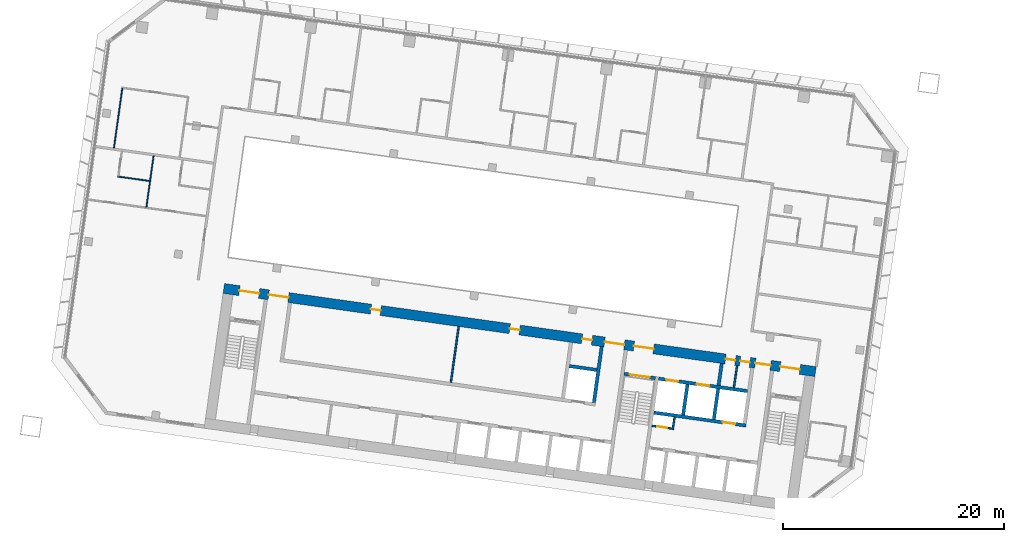
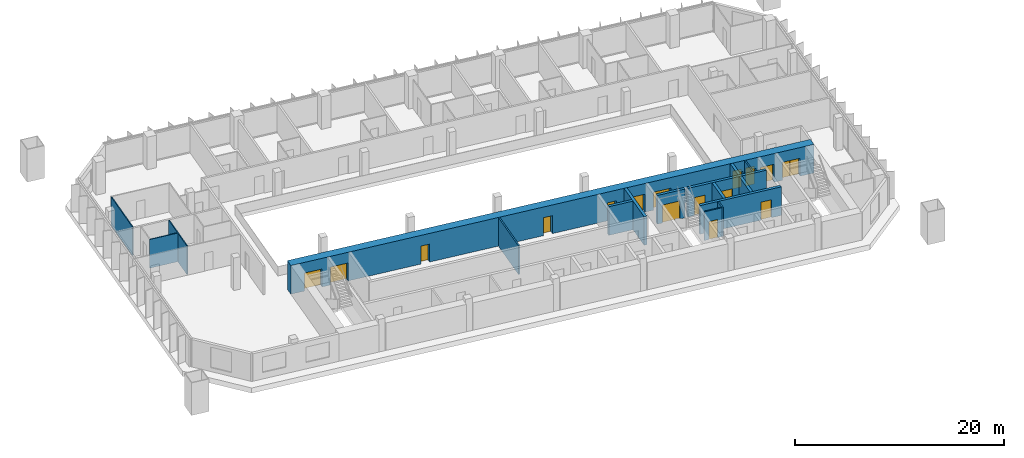
# One storey, part 15 of 24: 16 doors, 16 walls, 16 openings.
"""IFC4 building model written with IfcOpenShell, lengths in metres."""

from ifc_helpers import new_model, si_unit, direction, frame, frame_2d, origin, place, context, subcontext, project, spatial, rectangle, extrude, material, layer, layer_set, type_object, element, fill, save


model = new_model("IFC4")

# Units and contexts
model_context = context("Model", 3, precision=1e-05, world=origin(), true_north=direction((0.0, 1.0)))
body_context = subcontext(model_context, "Body", "Model", "MODEL_VIEW")
ifc_project = project(units=[si_unit("LENGTHUNIT", "METRE"), si_unit("AREAUNIT", "SQUARE_METRE"), si_unit("VOLUMEUNIT", "CUBIC_METRE"), si_unit("PLANEANGLEUNIT", "RADIAN"), si_unit("MASSUNIT", "GRAM", prefix="KILO")], contexts=[model_context])

# Site, building, storey
site_placement = place(None, origin())
site = spatial("IfcSite", under=ifc_project, at=site_placement, CompositionType="ELEMENT")
building_placement = place(site_placement, origin())
building = spatial("IfcBuilding", under=site, at=building_placement, Name="Mirante Cascada Hotel Towers", CompositionType="ELEMENT")
storey_placement = place(building_placement, frame((0.0, 0.0, 85.1)))
storey = spatial("IfcBuildingStorey", under=building, at=storey_placement, Name="L18", CompositionType="ELEMENT", Elevation=85.1)

# Wall
ifc_material_1 = material(Name="Masonry block", Category="masonry")
ifc_layer_1 = layer(ifc_material_1, 0.15)
ifc_layer_set_1 = layer_set([ifc_layer_1], Name="Core room partition 150 block EI 30")
wall_type_1 = type_object("IfcWallType", Name="Core room partition 150 block EI 30", PredefinedType="PARTITIONING", material=ifc_layer_set_1)
wall_1_placement = place(storey_placement, frame((-48.2295, -12.793, 0.0), z_axis=(0.0, 0.0, 1.0), x_axis=(0.1391935, 0.9902652, 0.0)))
element("IfcWall", 1, at=wall_1_placement, inside=storey, type_object=wall_type_1, Name="Core wall partition T1 L18 2", PredefinedType="PARTITIONING", context=body_context, shape_type="SweptSolid", body=[
    extrude(rectangle(XDim=1.1251, YDim=0.15, at=frame_2d((0.5626, 0.0))), origin(), (0.0, 0.0, 1.0), 3.35),
])

# Wall, opening, door
wall_2_placement = place(storey_placement, frame((-48.2933, -12.7083, 0.0), z_axis=(0.0, 0.0, 1.0), x_axis=(-0.990268, 0.1391734, 0.0)))
wall_2 = element("IfcWall", 2, at=wall_2_placement, inside=storey, type_object=wall_type_1, Name="Core wall partition T1 L18 3", PredefinedType="PARTITIONING", context=body_context, shape_type="SweptSolid", body=[
    extrude(rectangle(XDim=1.8251, YDim=0.15, at=frame_2d((0.9126, 0.0))), origin(), (0.0, 0.0, 1.0), 3.35),
])
opening_1_placement = place(wall_2_placement, frame((0.4625, 0.0, 0.0)))
opening_1 = element("IfcOpeningElement", 3, at=opening_1_placement, cuts=wall_2, Name="Opening D1-18-C23", PredefinedType="OPENING", context=body_context, shape_type="SweptSolid", body=[
    extrude(rectangle(XDim=0.9, YDim=2.1, at=frame_2d((0.45, 1.05))), frame((0.0, 0.075, 0.0), z_axis=(0.0, -1.0, 0.0), x_axis=(1.0, 0.0, 0.0)), (0.0, 0.0, 1.0), 0.15),
])
ifc_material_2 = material(Name="Hollow metal fire door leaf")
door_type_1 = type_object("IfcDoorType", Name="Fire door 900x2100 FD60", OperationType="NOTDEFINED", PredefinedType="DOOR", material=ifc_material_2)
door_1_placement = place(opening_1_placement, origin())
door_1 = element("IfcDoor", 4, at=door_1_placement, inside=storey, type_object=door_type_1, Name="Riser door T1 L18 23", OperationType="SINGLE_SWING_LEFT", OverallHeight=2.1, OverallWidth=0.9, PredefinedType="DOOR", context=body_context, shape_type="SweptSolid", body=[
    extrude(rectangle(XDim=0.9, YDim=2.1, at=frame_2d((0.45, 1.05))), frame((0.0, 0.025, 0.0), z_axis=(0.0, -1.0, 0.0), x_axis=(1.0, 0.0, 0.0)), (0.0, 0.0, 1.0), 0.05),
])
fill(opening_1, door_1)

# Walls
wall_3_placement = place(storey_placement, frame((-42.6979, -9.0009, 0.0), z_axis=(0.0, 0.0, 1.0), x_axis=(0.1391529, 0.9902709, 0.0)))
element("IfcWall", 5, at=wall_3_placement, inside=storey, type_object=wall_type_1, Name="Core wall partition T1 L18 4", PredefinedType="PARTITIONING", context=body_context, shape_type="SweptSolid", body=[
    extrude(rectangle(XDim=2.0, YDim=0.15, at=frame_2d((1.0, 0.0))), origin(), (0.0, 0.0, 1.0), 3.35),
])
wall_4_placement = place(storey_placement, frame((-68.2822, -8.5358, 0.0), z_axis=(0.0, 0.0, 1.0), x_axis=(0.1391755, 0.9902677, 0.0)))
element("IfcWall", 6, at=wall_4_placement, inside=storey, type_object=wall_type_1, Name="Core wall partition T1 L18 7", PredefinedType="PARTITIONING", context=body_context, shape_type="SweptSolid", body=[
    extrude(rectangle(XDim=5.1, YDim=0.15, at=frame_2d((2.55, 0.0))), origin(), (0.0, 0.0, 1.0), 3.35),
])
ifc_material_3 = material(Name="Masonry block", Category="masonry")
ifc_layer_2 = layer(ifc_material_3, 0.3)
ifc_layer_set_2 = layer_set([ifc_layer_2], Name="Core wall 300 block EI 120")
wall_type_2 = type_object("IfcWallType", Name="Core wall 300 block EI 120", PredefinedType="PARTITIONING", material=ifc_layer_set_2)
wall_5_placement = place(storey_placement, frame((-44.0843, -8.8061, 0.0), z_axis=(0.0, 0.0, 1.0), x_axis=(0.1391951, 0.990265, 0.0)))
element("IfcWall", 7, at=wall_5_placement, inside=storey, type_object=wall_type_2, Name="Core wall partition T1 L18 1", PredefinedType="PARTITIONING", context=body_context, shape_type="SweptSolid", body=[
    extrude(rectangle(XDim=2.0001, YDim=0.3, at=frame_2d((1.0001, 0.0))), origin(), (0.0, 0.0, 1.0), 3.35),
])
ifc_material_4 = material(Name="Plasterboard on metal studs")
ifc_layer_3 = layer(ifc_material_4, 0.1)
ifc_layer_set_3 = layer_set([ifc_layer_3], Name="Partition 100")
wall_type_3 = type_object("IfcWallType", Name="Partition 100", PredefinedType="PARTITIONING", material=ifc_layer_set_3)
wall_6_placement = place(storey_placement, frame((-95.5142, 9.6646, 0.0), z_axis=(0.0, 0.0, 1.0), x_axis=(-0.9902683, 0.1391714, 0.0)))
element("IfcWall", 8, at=wall_6_placement, inside=storey, type_object=wall_type_3, Name="Wall 1-L18-07", PredefinedType="PARTITIONING", context=body_context, shape_type="SweptSolid", body=[
    extrude(rectangle(XDim=2.9, YDim=0.1, at=frame_2d((1.45, 0.0))), origin(), (0.0, 0.0, 1.0), 3.35),
])
wall_7_placement = place(storey_placement, frame((-95.1446, 11.9353, 0.0), z_axis=(0.0, 0.0, 1.0), x_axis=(-0.139176, -0.9902677, 0.0)))
element("IfcWall", 9, at=wall_7_placement, inside=storey, type_object=wall_type_3, Name="Wall 1-L18-52", PredefinedType="PARTITIONING", context=body_context, shape_type="SweptSolid", body=[
    extrude(rectangle(XDim=4.6833, YDim=0.1, at=frame_2d((2.3416, 0.0))), origin(), (0.0, 0.0, 1.0), 3.35),
])
wall_8_placement = place(storey_placement, frame((-97.9727, 18.0383, 0.0), z_axis=(0.0, 0.0, 1.0), x_axis=(-0.1391733, -0.990268, 0.0)))
element("IfcWall", 10, at=wall_8_placement, inside=storey, type_object=wall_type_3, Name="Wall 1-L18-54", PredefinedType="PARTITIONING", context=body_context, shape_type="SweptSolid", body=[
    extrude(rectangle(XDim=5.45, YDim=0.1, at=frame_2d((2.725, 0.0))), origin(), (0.0, 0.0, 1.0), 3.35),
])

# Wall, opening, door
ifc_material_5 = material(Name="Concrete C50/60", Category="concrete")
ifc_layer_4 = layer(ifc_material_5, 0.3)
ifc_layer_set_4 = layer_set([ifc_layer_4], Name="RC core wall 300 C50/60")
wall_type_4 = type_object("IfcWallType", Name="RC core wall 300 C50/60", PredefinedType="SHEAR", material=ifc_layer_set_4)
wall_9_placement = place(storey_placement, frame((-49.7992, -8.1544, 0.0), z_axis=(0.0, 0.0, 1.0), x_axis=(-0.9902656, 0.1391909, 0.0)))
wall_9 = element("IfcWall", 11, at=wall_9_placement, inside=storey, type_object=wall_type_4, Name="Core wall T1:L18:10", PredefinedType="SHEAR", context=body_context, shape_type="SweptSolid", body=[
    extrude(rectangle(XDim=2.85, YDim=0.3, at=frame_2d((1.425, 0.0))), origin(), (0.0, 0.0, 1.0), 3.35),
])
opening_2_placement = place(wall_9_placement, frame((0.525, 0.0, 0.0)))
opening_2 = element("IfcOpeningElement", 12, at=opening_2_placement, cuts=wall_9, Name="Opening D1-18-C15", PredefinedType="OPENING", context=body_context, shape_type="SweptSolid", body=[
    extrude(rectangle(XDim=1.8, YDim=2.1, at=frame_2d((0.9, 1.05))), frame((0.0, 0.15, 0.0), z_axis=(0.0, -1.0, 0.0), x_axis=(1.0, 0.0, 0.0)), (0.0, 0.0, 1.0), 0.3),
])
ifc_material_6 = material(Name="Hollow metal fire door leaf")
door_type_2 = type_object("IfcDoorType", Name="Double fire door 1800x2100 FD60", OperationType="DOUBLE_DOOR_SINGLE_SWING", PredefinedType="DOOR", material=ifc_material_6)
door_2_placement = place(opening_2_placement, origin())
door_2 = element("IfcDoor", 13, at=door_2_placement, inside=storey, type_object=door_type_2, Name="Stair door T1 L18 15", OperationType="DOUBLE_DOOR_SINGLE_SWING", OverallHeight=2.1, OverallWidth=1.8, PredefinedType="DOOR", context=body_context, shape_type="SweptSolid", body=[
    extrude(rectangle(XDim=0.895, YDim=2.1, at=frame_2d((0.4475, 1.05))), frame((0.0, 0.025, 0.0), z_axis=(0.0, -1.0, 0.0), x_axis=(1.0, 0.0, 0.0)), (0.0, 0.0, 1.0), 0.05),
    extrude(rectangle(XDim=0.895, YDim=2.1, at=frame_2d((1.3525, 1.05))), frame((0.0, 0.025, 0.0), z_axis=(0.0, -1.0, 0.0), x_axis=(1.0, 0.0, 0.0)), (0.0, 0.0, 1.0), 0.05),
])
fill(opening_2, door_2)

wall_10_placement = place(storey_placement, frame((-41.6153, -12.435, 0.0), z_axis=(0.0, 0.0, 1.0), x_axis=(-0.9902691, 0.139166, 0.0)))
wall_10 = element("IfcWall", 14, at=wall_10_placement, inside=storey, type_object=wall_type_4, Name="Core wall T1:L18:13", PredefinedType="SHEAR", context=body_context, shape_type="SweptSolid", body=[
    extrude(rectangle(XDim=8.4, YDim=0.3, at=frame_2d((4.2, 0.0))), origin(), (0.0, 0.0, 1.0), 3.35),
])
opening_3_placement = place(wall_10_placement, frame((1.0, 0.0, 0.0)))
opening_3 = element("IfcOpeningElement", 15, at=opening_3_placement, cuts=wall_10, Name="Opening LD", PredefinedType="OPENING", context=body_context, shape_type="SweptSolid", body=[
    extrude(rectangle(XDim=1.1, YDim=2.1, at=frame_2d((0.55, 1.05))), frame((0.0, 0.15, 0.0), z_axis=(0.0, -1.0, 0.0), x_axis=(1.0, 0.0, 0.0)), (0.0, 0.0, 1.0), 0.3),
])
ifc_material_7 = material(Name="Stainless steel", Category="steel")
door_type_3 = type_object("IfcDoorType", Name="Lift landing door 1100x2100 EI 120", OperationType="DOUBLE_DOOR_SLIDING", PredefinedType="DOOR", material=ifc_material_7)
door_3_placement = place(opening_3_placement, origin())
door_3 = element("IfcDoor", 16, at=door_3_placement, inside=storey, type_object=door_type_3, Name="Lift landing door HR1-4 L18", OperationType="DOUBLE_DOOR_SLIDING", OverallHeight=2.1, OverallWidth=1.1, PredefinedType="DOOR", context=body_context, shape_type="SweptSolid", body=[
    extrude(rectangle(XDim=0.545, YDim=2.1, at=frame_2d((0.2725, 1.05))), frame((0.0, 0.025, 0.0), z_axis=(0.0, -1.0, 0.0), x_axis=(1.0, 0.0, 0.0)), (0.0, 0.0, 1.0), 0.05),
    extrude(rectangle(XDim=0.545, YDim=2.1, at=frame_2d((0.8275, 1.05))), frame((0.0, 0.025, 0.0), z_axis=(0.0, -1.0, 0.0), x_axis=(1.0, 0.0, 0.0)), (0.0, 0.0, 1.0), 0.05),
])
fill(opening_3, door_3)

# Wall, openings, doors
wall_11_placement = place(storey_placement, frame((-41.481, -9.3234, 0.0), z_axis=(0.0, 0.0, 1.0), x_axis=(-0.9902679, 0.1391741, 0.0)))
wall_11 = element("IfcWall", 17, at=wall_11_placement, inside=storey, type_object=wall_type_4, Name="Core wall T1:L18:14", PredefinedType="SHEAR", context=body_context, shape_type="SweptSolid", body=[
    extrude(rectangle(XDim=8.0999, YDim=0.3, at=frame_2d((4.05, 0.0))), origin(), (0.0, 0.0, 1.0), 3.35),
])
opening_4_placement = place(wall_11_placement, frame((3.5, 0.0, 0.0)))
opening_4 = element("IfcOpeningElement", 18, at=opening_4_placement, cuts=wall_11, Name="Opening LD", PredefinedType="OPENING", context=body_context, shape_type="SweptSolid", body=[
    extrude(rectangle(XDim=1.1, YDim=2.1, at=frame_2d((0.55, 1.05))), frame((0.0, 0.15, 0.0), z_axis=(0.0, -1.0, 0.0), x_axis=(1.0, 0.0, 0.0)), (0.0, 0.0, 1.0), 0.3),
])
opening_5_placement = place(wall_11_placement, frame((6.3, 0.0, 0.0)))
opening_5 = element("IfcOpeningElement", 19, at=opening_5_placement, cuts=wall_11, Name="Opening LD", PredefinedType="OPENING", context=body_context, shape_type="SweptSolid", body=[
    extrude(rectangle(XDim=1.1, YDim=2.1, at=frame_2d((0.55, 1.05))), frame((0.0, 0.15, 0.0), z_axis=(0.0, -1.0, 0.0), x_axis=(1.0, 0.0, 0.0)), (0.0, 0.0, 1.0), 0.3),
])
door_4_placement = place(opening_4_placement, origin())
door_4 = element("IfcDoor", 20, at=door_4_placement, inside=storey, type_object=door_type_3, Name="Lift landing door FF1 L18", OperationType="DOUBLE_DOOR_SLIDING", OverallHeight=2.1, OverallWidth=1.1, PredefinedType="DOOR", context=body_context, shape_type="SweptSolid", body=[
    extrude(rectangle(XDim=0.545, YDim=2.1, at=frame_2d((0.2725, 1.05))), frame((0.0, 0.025, 0.0), z_axis=(0.0, -1.0, 0.0), x_axis=(1.0, 0.0, 0.0)), (0.0, 0.0, 1.0), 0.05),
    extrude(rectangle(XDim=0.545, YDim=2.1, at=frame_2d((0.8275, 1.05))), frame((0.0, 0.025, 0.0), z_axis=(0.0, -1.0, 0.0), x_axis=(1.0, 0.0, 0.0)), (0.0, 0.0, 1.0), 0.05),
])
fill(opening_4, door_4)
door_5_placement = place(opening_5_placement, origin())
door_5 = element("IfcDoor", 21, at=door_5_placement, inside=storey, type_object=door_type_3, Name="Lift landing door FF2 L18", OperationType="DOUBLE_DOOR_SLIDING", OverallHeight=2.1, OverallWidth=1.1, PredefinedType="DOOR", context=body_context, shape_type="SweptSolid", body=[
    extrude(rectangle(XDim=0.545, YDim=2.1, at=frame_2d((0.2725, 1.05))), frame((0.0, 0.025, 0.0), z_axis=(0.0, -1.0, 0.0), x_axis=(1.0, 0.0, 0.0)), (0.0, 0.0, 1.0), 0.05),
    extrude(rectangle(XDim=0.545, YDim=2.1, at=frame_2d((0.8275, 1.05))), frame((0.0, 0.025, 0.0), z_axis=(0.0, -1.0, 0.0), x_axis=(1.0, 0.0, 0.0)), (0.0, 0.0, 1.0), 0.05),
])
fill(opening_5, door_5)

# Walls
for number, where, z_axis, x_axis, name in (
    (22, (-44.5157, -11.8759, 0.0), (0.0, 0.0, 1.0), (0.139181, 0.990267, 0.0), "Core wall T1:L18:18"),
    (23, (-47.2885, -11.4862, 0.0), (0.0, 0.0, 1.0), (0.139181, 0.990267, 0.0), "Core wall T1:L18:19"),
):
    element("IfcWall", number, at=place(storey_placement, frame(where, z_axis=z_axis, x_axis=x_axis)), inside=storey, type_object=wall_type_4, Name=name, PredefinedType="SHEAR", context=body_context, shape_type="SweptSolid", body=[
        extrude(rectangle(XDim=2.8, YDim=0.3, at=frame_2d((1.4, 0.0))), origin(), (0.0, 0.0, 1.0), 3.35),
    ])
wall_12_placement = place(storey_placement, frame((-55.3592, -10.352, 0.0), z_axis=(0.0, 0.0, 1.0), x_axis=(0.1391755, 0.9902677, 0.0)))
element("IfcWall", 24, at=wall_12_placement, inside=storey, type_object=wall_type_4, Name="Core wall T1:L18:34", PredefinedType="SHEAR", context=body_context, shape_type="SweptSolid", body=[
    extrude(rectangle(XDim=5.1, YDim=0.3, at=frame_2d((2.55, 0.0))), origin(), (0.0, 0.0, 1.0), 3.35),
])
wall_13_placement = place(storey_placement, frame((-55.0971, -7.4098, 0.0), z_axis=(0.0, 0.0, 1.0), x_axis=(-0.9902701, 0.1391586, 0.0)))
element("IfcWall", 25, at=wall_13_placement, inside=storey, type_object=wall_type_4, Name="Core wall T1:L18:37", PredefinedType="SHEAR", context=body_context, shape_type="SweptSolid", body=[
    extrude(rectangle(XDim=2.5, YDim=0.3, at=frame_2d((1.25, 0.0))), origin(), (0.0, 0.0, 1.0), 3.35),
])

# Wall, openings, doors
ifc_material_8 = material(Name="Concrete C50/60", Category="concrete")
ifc_layer_5 = layer(ifc_material_8, 0.9)
ifc_layer_set_5 = layer_set([ifc_layer_5], Name="RC core wall 900 C50/60")
wall_type_5 = type_object("IfcWallType", Name="RC core wall 900 C50/60", PredefinedType="SHEAR", material=ifc_layer_set_5)
wall_14_placement = place(storey_placement, frame((-35.326, -7.5629, 0.0), z_axis=(0.0, 0.0, 1.0), x_axis=(-0.9902679, 0.139174, 0.0)))
wall_14 = element("IfcWall", 26, at=wall_14_placement, inside=storey, type_object=wall_type_5, Name="Core wall T1:L18:2", PredefinedType="SHEAR", context=body_context, shape_type="SweptSolid", body=[
    extrude(rectangle(XDim=54.0, YDim=0.9, at=frame_2d((27.0, 0.0))), origin(), (0.0, 0.0, 1.0), 3.35),
])
opening_6_placement = place(wall_14_placement, frame((1.425, 0.0, 0.0)))
opening_6 = element("IfcOpeningElement", 27, at=opening_6_placement, cuts=wall_14, Name="Opening D1-18-C14", PredefinedType="OPENING", context=body_context, shape_type="SweptSolid", body=[
    extrude(rectangle(XDim=1.8, YDim=2.1, at=frame_2d((0.9, 1.05))), frame((0.0, 0.45, 0.0), z_axis=(0.0, -1.0, 0.0), x_axis=(1.0, 0.0, 0.0)), (0.0, 0.0, 1.0), 0.9),
])
opening_7_placement = place(wall_14_placement, frame((14.775, 0.0, 0.0)))
opening_7 = element("IfcOpeningElement", 28, at=opening_7_placement, cuts=wall_14, Name="Opening D1-18-C16", PredefinedType="OPENING", context=body_context, shape_type="SweptSolid", body=[
    extrude(rectangle(XDim=1.8, YDim=2.1, at=frame_2d((0.9, 1.05))), frame((0.0, 0.45, 0.0), z_axis=(0.0, -1.0, 0.0), x_axis=(1.0, 0.0, 0.0)), (0.0, 0.0, 1.0), 0.9),
])
opening_8_placement = place(wall_14_placement, frame((50.775, 0.0, 0.0)))
opening_8 = element("IfcOpeningElement", 29, at=opening_8_placement, cuts=wall_14, Name="Opening D1-18-C18", PredefinedType="OPENING", context=body_context, shape_type="SweptSolid", body=[
    extrude(rectangle(XDim=1.8, YDim=2.1, at=frame_2d((0.9, 1.05))), frame((0.0, 0.45, 0.0), z_axis=(0.0, -1.0, 0.0), x_axis=(1.0, 0.0, 0.0)), (0.0, 0.0, 1.0), 0.9),
])
opening_9_placement = place(wall_14_placement, frame((4.1, 0.0, 0.0)))
opening_9 = element("IfcOpeningElement", 30, at=opening_9_placement, cuts=wall_14, Name="Opening D1-18-C19", PredefinedType="OPENING", context=body_context, shape_type="SweptSolid", body=[
    extrude(rectangle(XDim=1.4, YDim=2.1, at=frame_2d((0.7, 1.05))), frame((0.0, 0.45, 0.0), z_axis=(0.0, -1.0, 0.0), x_axis=(1.0, 0.0, 0.0)), (0.0, 0.0, 1.0), 0.9),
])
opening_10_placement = place(wall_14_placement, frame((17.45, 0.0, 0.0)))
opening_10 = element("IfcOpeningElement", 31, at=opening_10_placement, cuts=wall_14, Name="Opening D1-18-C20", PredefinedType="OPENING", context=body_context, shape_type="SweptSolid", body=[
    extrude(rectangle(XDim=1.8, YDim=2.1, at=frame_2d((0.9, 1.05))), frame((0.0, 0.45, 0.0), z_axis=(0.0, -1.0, 0.0), x_axis=(1.0, 0.0, 0.0)), (0.0, 0.0, 1.0), 0.9),
])
opening_11_placement = place(wall_14_placement, frame((48.1, 0.0, 0.0)))
opening_11 = element("IfcOpeningElement", 32, at=opening_11_placement, cuts=wall_14, Name="Opening D1-18-C21", PredefinedType="OPENING", context=body_context, shape_type="SweptSolid", body=[
    extrude(rectangle(XDim=1.8, YDim=2.1, at=frame_2d((0.9, 1.05))), frame((0.0, 0.45, 0.0), z_axis=(0.0, -1.0, 0.0), x_axis=(1.0, 0.0, 0.0)), (0.0, 0.0, 1.0), 0.9),
])
opening_12_placement = place(wall_14_placement, frame((5.9875, 0.0, 0.0)))
opening_12 = element("IfcOpeningElement", 33, at=opening_12_placement, cuts=wall_14, Name="Opening D1-18-C24", PredefinedType="OPENING", context=body_context, shape_type="SweptSolid", body=[
    extrude(rectangle(XDim=0.9, YDim=2.1, at=frame_2d((0.45, 1.05))), frame((0.0, 0.45, 0.0), z_axis=(0.0, -1.0, 0.0), x_axis=(1.0, 0.0, 0.0)), (0.0, 0.0, 1.0), 0.9),
])
opening_13_placement = place(wall_14_placement, frame((7.3125, 0.0, 0.0)))
opening_13 = element("IfcOpeningElement", 34, at=opening_13_placement, cuts=wall_14, Name="Opening D1-18-C25", PredefinedType="OPENING", context=body_context, shape_type="SweptSolid", body=[
    extrude(rectangle(XDim=0.9, YDim=2.1, at=frame_2d((0.45, 1.05))), frame((0.0, 0.45, 0.0), z_axis=(0.0, -1.0, 0.0), x_axis=(1.0, 0.0, 0.0)), (0.0, 0.0, 1.0), 0.9),
])
opening_14_placement = place(wall_14_placement, frame((20.4, 0.0, 0.0)))
opening_14 = element("IfcOpeningElement", 35, at=opening_14_placement, cuts=wall_14, Name="Opening D1-18-C29", PredefinedType="OPENING", context=body_context, shape_type="SweptSolid", body=[
    extrude(rectangle(XDim=0.9, YDim=2.1, at=frame_2d((0.45, 1.05))), frame((0.0, 0.45, 0.0), z_axis=(0.0, -1.0, 0.0), x_axis=(1.0, 0.0, 0.0)), (0.0, 0.0, 1.0), 0.9),
])
opening_15_placement = place(wall_14_placement, frame((27.0, 0.0, 0.0)))
opening_15 = element("IfcOpeningElement", 36, at=opening_15_placement, cuts=wall_14, Name="Opening D1-18-C30", PredefinedType="OPENING", context=body_context, shape_type="SweptSolid", body=[
    extrude(rectangle(XDim=0.9, YDim=2.1, at=frame_2d((0.45, 1.05))), frame((0.0, 0.45, 0.0), z_axis=(0.0, -1.0, 0.0), x_axis=(1.0, 0.0, 0.0)), (0.0, 0.0, 1.0), 0.9),
])
opening_16_placement = place(wall_14_placement, frame((39.675, 0.0, 0.0)))
opening_16 = element("IfcOpeningElement", 37, at=opening_16_placement, cuts=wall_14, Name="Opening D1-18-C31", PredefinedType="OPENING", context=body_context, shape_type="SweptSolid", body=[
    extrude(rectangle(XDim=0.9, YDim=2.1, at=frame_2d((0.45, 1.05))), frame((0.0, 0.45, 0.0), z_axis=(0.0, -1.0, 0.0), x_axis=(1.0, 0.0, 0.0)), (0.0, 0.0, 1.0), 0.9),
])
ifc_material_9 = material(Name="Hollow metal fire door leaf")
door_type_4 = type_object("IfcDoorType", Name="Double fire door 1400x2100 FD60", OperationType="DOUBLE_DOOR_SINGLE_SWING", PredefinedType="DOOR", material=ifc_material_9)
door_6_placement = place(opening_9_placement, frame((1.4, 0.0, 0.0), z_axis=(0.0, 0.0, 1.0), x_axis=(-1.0, 0.0, 0.0)))
door_6 = element("IfcDoor", 38, at=door_6_placement, inside=storey, type_object=door_type_4, Name="Exit door to gallery T1 L18 19", OperationType="DOUBLE_DOOR_SINGLE_SWING", OverallHeight=2.1, OverallWidth=1.4, PredefinedType="DOOR", context=body_context, shape_type="SweptSolid", body=[
    extrude(rectangle(XDim=0.695, YDim=2.1, at=frame_2d((0.3475, 1.05))), frame((0.0, 0.025, 0.0), z_axis=(0.0, -1.0, 0.0), x_axis=(1.0, 0.0, 0.0)), (0.0, 0.0, 1.0), 0.05),
    extrude(rectangle(XDim=0.695, YDim=2.1, at=frame_2d((1.0525, 1.05))), frame((0.0, 0.025, 0.0), z_axis=(0.0, -1.0, 0.0), x_axis=(1.0, 0.0, 0.0)), (0.0, 0.0, 1.0), 0.05),
])
fill(opening_9, door_6)
door_7_placement = place(opening_6_placement, origin())
door_7 = element("IfcDoor", 39, at=door_7_placement, inside=storey, type_object=door_type_2, Name="Exit door to gallery T1 L18 14", OperationType="DOUBLE_DOOR_SINGLE_SWING", OverallHeight=2.1, OverallWidth=1.8, PredefinedType="DOOR", context=body_context, shape_type="SweptSolid", body=[
    extrude(rectangle(XDim=0.895, YDim=2.1, at=frame_2d((0.4475, 1.05))), frame((0.0, 0.025, 0.0), z_axis=(0.0, -1.0, 0.0), x_axis=(1.0, 0.0, 0.0)), (0.0, 0.0, 1.0), 0.05),
    extrude(rectangle(XDim=0.895, YDim=2.1, at=frame_2d((1.3525, 1.05))), frame((0.0, 0.025, 0.0), z_axis=(0.0, -1.0, 0.0), x_axis=(1.0, 0.0, 0.0)), (0.0, 0.0, 1.0), 0.05),
])
fill(opening_6, door_7)
door_8_placement = place(opening_7_placement, origin())
door_8 = element("IfcDoor", 40, at=door_8_placement, inside=storey, type_object=door_type_2, Name="Exit door to gallery T1 L18 16", OperationType="DOUBLE_DOOR_SINGLE_SWING", OverallHeight=2.1, OverallWidth=1.8, PredefinedType="DOOR", context=body_context, shape_type="SweptSolid", body=[
    extrude(rectangle(XDim=0.895, YDim=2.1, at=frame_2d((0.4475, 1.05))), frame((0.0, 0.025, 0.0), z_axis=(0.0, -1.0, 0.0), x_axis=(1.0, 0.0, 0.0)), (0.0, 0.0, 1.0), 0.05),
    extrude(rectangle(XDim=0.895, YDim=2.1, at=frame_2d((1.3525, 1.05))), frame((0.0, 0.025, 0.0), z_axis=(0.0, -1.0, 0.0), x_axis=(1.0, 0.0, 0.0)), (0.0, 0.0, 1.0), 0.05),
])
fill(opening_7, door_8)
door_9_placement = place(opening_8_placement, origin())
door_9 = element("IfcDoor", 41, at=door_9_placement, inside=storey, type_object=door_type_2, Name="Exit door to gallery T1 L18 18", OperationType="DOUBLE_DOOR_SINGLE_SWING", OverallHeight=2.1, OverallWidth=1.8, PredefinedType="DOOR", context=body_context, shape_type="SweptSolid", body=[
    extrude(rectangle(XDim=0.895, YDim=2.1, at=frame_2d((0.4475, 1.05))), frame((0.0, 0.025, 0.0), z_axis=(0.0, -1.0, 0.0), x_axis=(1.0, 0.0, 0.0)), (0.0, 0.0, 1.0), 0.05),
    extrude(rectangle(XDim=0.895, YDim=2.1, at=frame_2d((1.3525, 1.05))), frame((0.0, 0.025, 0.0), z_axis=(0.0, -1.0, 0.0), x_axis=(1.0, 0.0, 0.0)), (0.0, 0.0, 1.0), 0.05),
])
fill(opening_8, door_9)
door_10_placement = place(opening_10_placement, frame((1.8, 0.0, 0.0), z_axis=(0.0, 0.0, 1.0), x_axis=(-1.0, 0.0, 0.0)))
door_10 = element("IfcDoor", 42, at=door_10_placement, inside=storey, type_object=door_type_2, Name="Exit door to gallery T1 L18 20", OperationType="DOUBLE_DOOR_SINGLE_SWING", OverallHeight=2.1, OverallWidth=1.8, PredefinedType="DOOR", context=body_context, shape_type="SweptSolid", body=[
    extrude(rectangle(XDim=0.895, YDim=2.1, at=frame_2d((0.4475, 1.05))), frame((0.0, 0.025, 0.0), z_axis=(0.0, -1.0, 0.0), x_axis=(1.0, 0.0, 0.0)), (0.0, 0.0, 1.0), 0.05),
    extrude(rectangle(XDim=0.895, YDim=2.1, at=frame_2d((1.3525, 1.05))), frame((0.0, 0.025, 0.0), z_axis=(0.0, -1.0, 0.0), x_axis=(1.0, 0.0, 0.0)), (0.0, 0.0, 1.0), 0.05),
])
fill(opening_10, door_10)
door_11_placement = place(opening_11_placement, frame((1.8, 0.0, 0.0), z_axis=(0.0, 0.0, 1.0), x_axis=(-1.0, 0.0, 0.0)))
door_11 = element("IfcDoor", 43, at=door_11_placement, inside=storey, type_object=door_type_2, Name="Exit door to gallery T1 L18 21", OperationType="DOUBLE_DOOR_SINGLE_SWING", OverallHeight=2.1, OverallWidth=1.8, PredefinedType="DOOR", context=body_context, shape_type="SweptSolid", body=[
    extrude(rectangle(XDim=0.895, YDim=2.1, at=frame_2d((0.4475, 1.05))), frame((0.0, 0.025, 0.0), z_axis=(0.0, -1.0, 0.0), x_axis=(1.0, 0.0, 0.0)), (0.0, 0.0, 1.0), 0.05),
    extrude(rectangle(XDim=0.895, YDim=2.1, at=frame_2d((1.3525, 1.05))), frame((0.0, 0.025, 0.0), z_axis=(0.0, -1.0, 0.0), x_axis=(1.0, 0.0, 0.0)), (0.0, 0.0, 1.0), 0.05),
])
fill(opening_11, door_11)
door_12_placement = place(opening_12_placement, origin())
door_12 = element("IfcDoor", 44, at=door_12_placement, inside=storey, type_object=door_type_1, Name="Room door T1 L18 24", OperationType="SINGLE_SWING_RIGHT", OverallHeight=2.1, OverallWidth=0.9, PredefinedType="DOOR", context=body_context, shape_type="SweptSolid", body=[
    extrude(rectangle(XDim=0.9, YDim=2.1, at=frame_2d((0.45, 1.05))), frame((0.0, 0.025, 0.0), z_axis=(0.0, -1.0, 0.0), x_axis=(1.0, 0.0, 0.0)), (0.0, 0.0, 1.0), 0.05),
])
fill(opening_12, door_12)
door_13_placement = place(opening_13_placement, origin())
door_13 = element("IfcDoor", 45, at=door_13_placement, inside=storey, type_object=door_type_1, Name="Room door T1 L18 25", OperationType="SINGLE_SWING_RIGHT", OverallHeight=2.1, OverallWidth=0.9, PredefinedType="DOOR", context=body_context, shape_type="SweptSolid", body=[
    extrude(rectangle(XDim=0.9, YDim=2.1, at=frame_2d((0.45, 1.05))), frame((0.0, 0.025, 0.0), z_axis=(0.0, -1.0, 0.0), x_axis=(1.0, 0.0, 0.0)), (0.0, 0.0, 1.0), 0.05),
])
fill(opening_13, door_13)
door_14_placement = place(opening_14_placement, origin())
door_14 = element("IfcDoor", 46, at=door_14_placement, inside=storey, type_object=door_type_1, Name="Room door T1 L18 29", OperationType="SINGLE_SWING_RIGHT", OverallHeight=2.1, OverallWidth=0.9, PredefinedType="DOOR", context=body_context, shape_type="SweptSolid", body=[
    extrude(rectangle(XDim=0.9, YDim=2.1, at=frame_2d((0.45, 1.05))), frame((0.0, 0.025, 0.0), z_axis=(0.0, -1.0, 0.0), x_axis=(1.0, 0.0, 0.0)), (0.0, 0.0, 1.0), 0.05),
])
fill(opening_14, door_14)
door_15_placement = place(opening_15_placement, origin())
door_15 = element("IfcDoor", 47, at=door_15_placement, inside=storey, type_object=door_type_1, Name="Room door T1 L18 30", OperationType="SINGLE_SWING_RIGHT", OverallHeight=2.1, OverallWidth=0.9, PredefinedType="DOOR", context=body_context, shape_type="SweptSolid", body=[
    extrude(rectangle(XDim=0.9, YDim=2.1, at=frame_2d((0.45, 1.05))), frame((0.0, 0.025, 0.0), z_axis=(0.0, -1.0, 0.0), x_axis=(1.0, 0.0, 0.0)), (0.0, 0.0, 1.0), 0.05),
])
fill(opening_15, door_15)
door_16_placement = place(opening_16_placement, origin())
door_16 = element("IfcDoor", 48, at=door_16_placement, inside=storey, type_object=door_type_1, Name="Room door T1 L18 31", OperationType="SINGLE_SWING_LEFT", OverallHeight=2.1, OverallWidth=0.9, PredefinedType="DOOR", context=body_context, shape_type="SweptSolid", body=[
    extrude(rectangle(XDim=0.9, YDim=2.1, at=frame_2d((0.45, 1.05))), frame((0.0, 0.025, 0.0), z_axis=(0.0, -1.0, 0.0), x_axis=(1.0, 0.0, 0.0)), (0.0, 0.0, 1.0), 0.05),
])
fill(opening_16, door_16)

save(model, "model.ifc")
